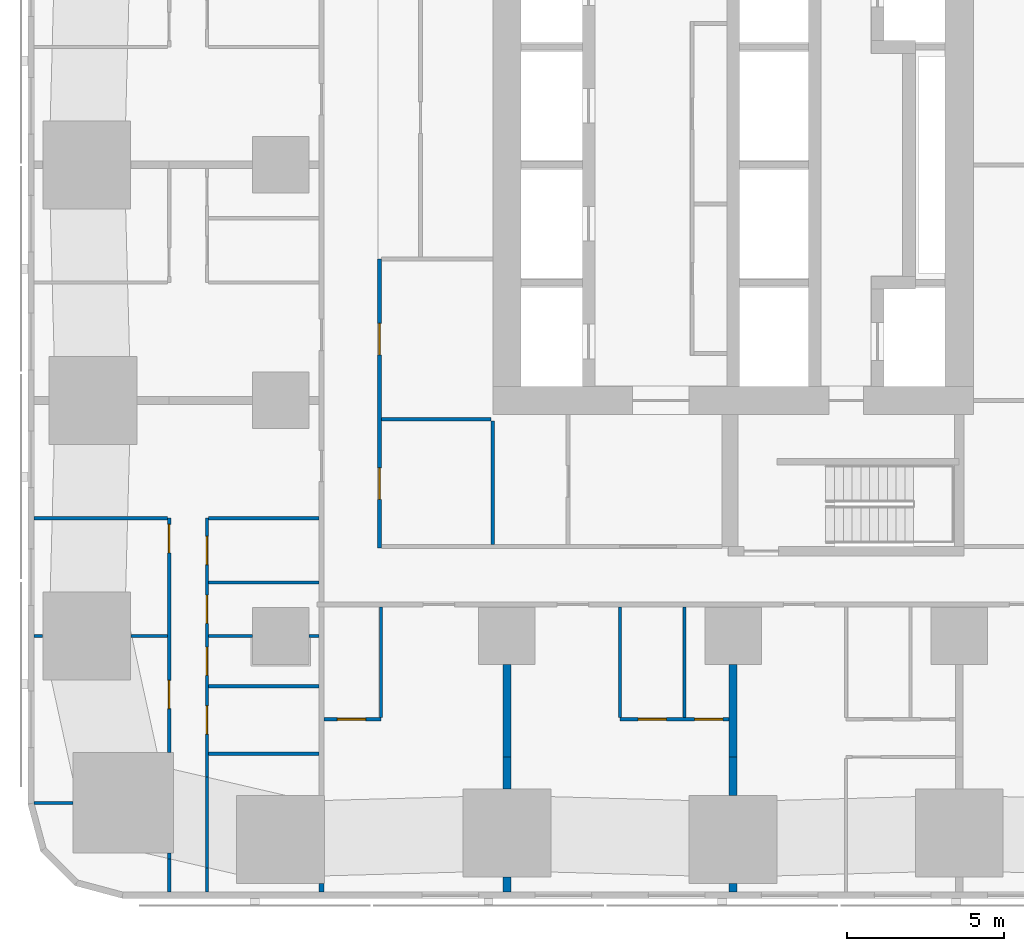
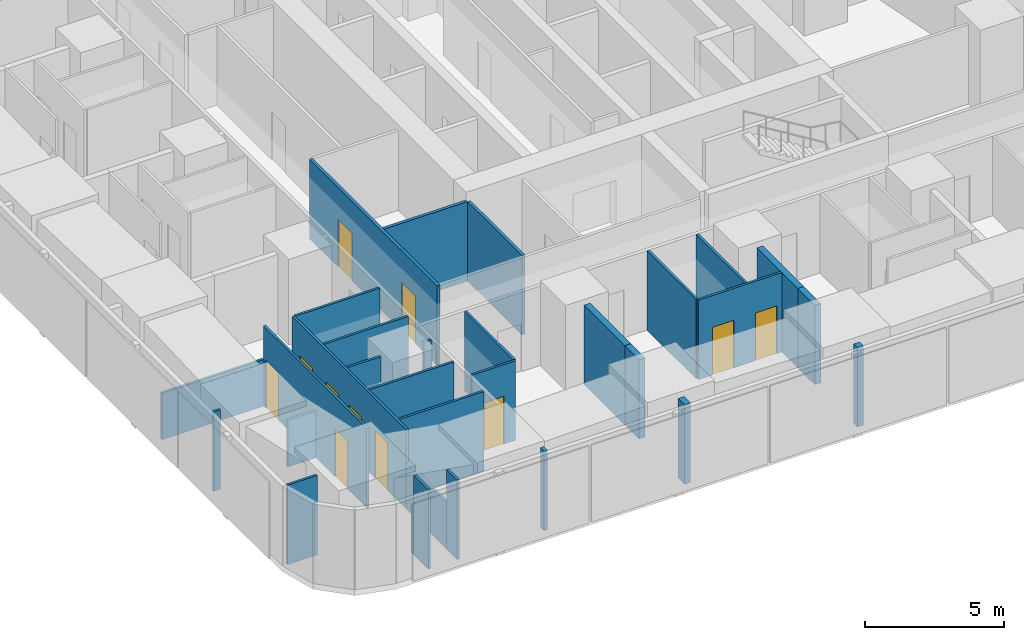
# One storey, part 2 of 15: 31 walls, 11 doors, 11 openings.
"""IFC4 building model written with IfcOpenShell, lengths in metres."""

from ifc_helpers import new_model, si_unit, direction, frame, frame_2d, origin, place, context, subcontext, project, spatial, rectangle, extrude, material, layer, layer_set, type_object, element, fill, save


model = new_model("IFC4")

# Units and contexts
model_context = context("Model", 3, precision=1e-05, world=origin(), true_north=direction((0.0, 1.0)))
body_context = subcontext(model_context, "Body", "Model", "MODEL_VIEW")
ifc_project = project(units=[si_unit("LENGTHUNIT", "METRE"), si_unit("AREAUNIT", "SQUARE_METRE"), si_unit("VOLUMEUNIT", "CUBIC_METRE"), si_unit("PLANEANGLEUNIT", "RADIAN"), si_unit("MASSUNIT", "GRAM", prefix="KILO")], contexts=[model_context])

# Site, building, storey
site_placement = place(None, origin())
site = spatial("IfcSite", under=ifc_project, at=site_placement, CompositionType="ELEMENT")
building_placement = place(site_placement, origin())
building = spatial("IfcBuilding", under=site, at=building_placement, Name="Sheger Commons Tower", CompositionType="ELEMENT")
storey_placement = place(building_placement, frame((0.0, 0.0, 42.5)))
storey = spatial("IfcBuildingStorey", under=building, at=storey_placement, Name="L10", CompositionType="ELEMENT", Elevation=42.5)

# Walls
ifc_material_1 = material(Name="Hollow concrete block masonry, skimmed both sides", Category="masonry")
ifc_layer_1 = layer(ifc_material_1, 0.14990234375)
ifc_layer_set_1 = layer_set([ifc_layer_1], Name="CORRIDOR WALL 150")
wall_type_1 = type_object("IfcWallType", Name="CORRIDOR WALL 150", PredefinedType="SOLIDWALL", material=ifc_layer_set_1)
wall_1_placement = place(storey_placement, frame((8.5, -0.64990234375, 0.0), z_axis=(0.0, 0.0, 1.0), x_axis=(0.0, 1.0, 0.0)))
element("IfcWall", 1, at=wall_1_placement, inside=storey, type_object=wall_type_1, Name="Corridor wall L10", PredefinedType="SOLIDWALL", context=body_context, shape_type="SweptSolid", body=[
    extrude(rectangle(XDim=0.27392578125, YDim=0.14990234375, at=frame_2d((0.136962890625, 0.0))), origin(), (0.0, 0.0, 1.0), 3.5),
])
ifc_material_2 = material(Name="Dense concrete block masonry, plastered both sides (separating wall between flats)", Category="masonry")
ifc_layer_2 = layer(ifc_material_2, 0.25)
ifc_layer_set_2 = layer_set([ifc_layer_2], Name="DEMISING WALL 250")
wall_type_2 = type_object("IfcWallType", Name="DEMISING WALL 250", PredefinedType="SOLIDWALL", material=ifc_layer_set_2)
wall_2_placement = place(storey_placement, frame((14.39990234375, -0.64990234375, 0.0), z_axis=(0.0, 0.0, 1.0), x_axis=(0.0, 1.0, 0.0)))
element("IfcWall", 2, at=wall_2_placement, inside=storey, type_object=wall_type_2, Name="Demising wall L10", PredefinedType="SOLIDWALL", context=body_context, shape_type="SweptSolid", body=[
    extrude(rectangle(XDim=0.473876953125, YDim=0.25, at=frame_2d((0.23681640625, 0.0))), origin(), (0.0, 0.0, 1.0), 3.5),
])
wall_3_placement = place(storey_placement, frame((14.39990234375, 2.6259765625, 0.0), z_axis=(0.0, 0.0, 1.0), x_axis=(0.0, 1.0, 0.0)))
element("IfcWall", 3, at=wall_3_placement, inside=storey, type_object=wall_type_2, Name="Demising wall L10", PredefinedType="SOLIDWALL", context=body_context, shape_type="SweptSolid", body=[
    extrude(rectangle(XDim=1.02392578125, YDim=0.25, at=frame_2d((0.511962890625, 0.0))), origin(), (0.0, 0.0, 1.0), 3.5),
])
wall_4_placement = place(storey_placement, frame((14.39990234375, 3.64990234375, 0.0), z_axis=(0.0, 0.0, 1.0), x_axis=(0.0, 1.0, 0.0)))
element("IfcWall", 4, at=wall_4_placement, inside=storey, type_object=wall_type_2, Name="Demising wall L10", PredefinedType="SOLIDWALL", context=body_context, shape_type="SweptSolid", body=[
    extrude(rectangle(XDim=2.94921875, YDim=0.25, at=frame_2d((1.474609375, 0.0))), origin(), (0.0, 0.0, 1.0), 3.5),
])
wall_5_placement = place(storey_placement, frame((21.60009765625, -0.64990234375, 0.0), z_axis=(0.0, 0.0, 1.0), x_axis=(0.0, 1.0, 0.0)))
element("IfcWall", 5, at=wall_5_placement, inside=storey, type_object=wall_type_2, Name="Demising wall L10", PredefinedType="SOLIDWALL", context=body_context, shape_type="SweptSolid", body=[
    extrude(rectangle(XDim=0.27392578125, YDim=0.25, at=frame_2d((0.136962890625, 0.0))), origin(), (0.0, 0.0, 1.0), 3.5),
])
wall_6_placement = place(storey_placement, frame((21.60009765625, 2.426025390625, 0.0), z_axis=(0.0, 0.0, 1.0), x_axis=(0.0, 1.0, 0.0)))
element("IfcWall", 6, at=wall_6_placement, inside=storey, type_object=wall_type_2, Name="Demising wall L10", PredefinedType="SOLIDWALL", context=body_context, shape_type="SweptSolid", body=[
    extrude(rectangle(XDim=1.223876953125, YDim=0.25, at=frame_2d((0.61181640625, 0.0))), origin(), (0.0, 0.0, 1.0), 3.5),
])
wall_7_placement = place(storey_placement, frame((21.60009765625, 3.64990234375, 0.0), z_axis=(0.0, 0.0, 1.0), x_axis=(0.0, 1.0, 0.0)))
element("IfcWall", 7, at=wall_7_placement, inside=storey, type_object=wall_type_2, Name="Demising wall L10", PredefinedType="SOLIDWALL", context=body_context, shape_type="SweptSolid", body=[
    extrude(rectangle(XDim=2.94921875, YDim=0.25, at=frame_2d((1.474609375, 0.0))), origin(), (0.0, 0.0, 1.0), 3.5),
])
ifc_material_3 = material(Name="Gypsum board on steel studs", Category="steel")
ifc_layer_3 = layer(ifc_material_3, 0.10009765625)
ifc_layer_set_3 = layer_set([ifc_layer_3], Name="PARTITION 100")
wall_type_3 = type_object("IfcWallType", Name="PARTITION 100", PredefinedType="PARTITIONING", material=ifc_layer_set_3)
wall_8_placement = place(storey_placement, frame((3.64990234375, -0.64990234375, 0.0), z_axis=(0.0, 0.0, 1.0), x_axis=(0.0, 1.0, 0.0)))
element("IfcWall", 8, at=wall_8_placement, inside=storey, type_object=wall_type_3, Name="Partition L10", PredefinedType="PARTITIONING", context=body_context, shape_type="SweptSolid", body=[
    extrude(rectangle(XDim=1.0478515625, YDim=0.10009765625, at=frame_2d((0.52392578125, 0.0))), origin(), (0.0, 0.0, 1.0), 3.5),
])
wall_9_placement = place(storey_placement, frame((3.64990234375, 0.39794921875, 0.0), z_axis=(0.0, 0.0, 1.0), x_axis=(0.0, 1.0, 0.0)))
element("IfcWall", 9, at=wall_9_placement, inside=storey, type_object=wall_type_3, Name="Partition L10", PredefinedType="PARTITIONING", context=body_context, shape_type="SweptSolid", body=[
    extrude(rectangle(XDim=0.18701171875, YDim=0.10009765625, at=frame_2d((0.093505859375, 0.0))), origin(), (0.0, 0.0, 1.0), 2.050048828125),
])

# Wall, openings, doors
wall_10_placement = place(storey_placement, frame((3.64990234375, 3.787109375, 0.0), z_axis=(0.0, 0.0, 1.0), x_axis=(0.0, 1.0, 0.0)))
wall_10 = element("IfcWall", 10, at=wall_10_placement, inside=storey, type_object=wall_type_3, Name="Partition L10", PredefinedType="PARTITIONING", context=body_context, shape_type="SweptSolid", body=[
    extrude(rectangle(XDim=7.462890625, YDim=0.10009765625, at=frame_2d((3.7314453125, 0.0))), origin(), (0.0, 0.0, 1.0), 3.5),
])
opening_1_placement = place(wall_10_placement, frame((6.363037109375, 0.0, 0.0)))
opening_1 = element("IfcOpeningElement", 11, at=opening_1_placement, cuts=wall_10, Name="Opening D2", PredefinedType="OPENING", context=body_context, shape_type="SweptSolid", body=[
    extrude(rectangle(XDim=0.89990234375, YDim=2.10009765625, at=frame_2d((0.449951171875, 1.050048828125))), frame((0.0, 0.06005859375, 0.0), z_axis=(0.0, -1.0, 0.0), x_axis=(1.0, 0.0, 0.0)), (0.0, 0.0, 1.0), 0.1201171875),
])
opening_2_placement = place(wall_10_placement, frame((1.39990234375, 0.0, 0.0)))
opening_2 = element("IfcOpeningElement", 12, at=opening_2_placement, cuts=wall_10, Name="Opening D2", PredefinedType="OPENING", context=body_context, shape_type="SweptSolid", body=[
    extrude(rectangle(XDim=0.89990234375, YDim=2.10009765625, at=frame_2d((0.449951171875, 1.050048828125))), frame((0.0, 0.06005859375, 0.0), z_axis=(0.0, -1.0, 0.0), x_axis=(1.0, 0.0, 0.0)), (0.0, 0.0, 1.0), 0.1201171875),
])
ifc_material_4 = material(Name="Timber door set", Category="wood")
door_type_1 = type_object("IfcDoorType", Name="INTERNAL DOOR 900x2100", OperationType="NOTDEFINED", PredefinedType="DOOR", material=ifc_material_4)
door_1_placement = place(opening_1_placement, origin())
door_1 = element("IfcDoor", 13, at=door_1_placement, inside=storey, type_object=door_type_1, Name="Main bedroom door", OperationType="SINGLE_SWING_RIGHT", OverallHeight=2.10009765625, OverallWidth=0.89990234375, PredefinedType="DOOR", context=body_context, shape_type="SweptSolid", body=[
    extrude(rectangle(XDim=0.89990234375, YDim=2.10009765625, at=frame_2d((0.449951171875, 1.050048828125))), frame((0.0, 0.02490234375, 0.0), z_axis=(0.0, -1.0, 0.0), x_axis=(1.0, 0.0, 0.0)), (0.0, 0.0, 1.0), 0.050048828125),
])
fill(opening_1, door_1)
door_2_placement = place(opening_2_placement, origin())
door_2 = element("IfcDoor", 14, at=door_2_placement, inside=storey, type_object=door_type_1, Name="Bedroom 2 door", OperationType="SINGLE_SWING_LEFT", OverallHeight=2.10009765625, OverallWidth=0.89990234375, PredefinedType="DOOR", context=body_context, shape_type="SweptSolid", body=[
    extrude(rectangle(XDim=0.89990234375, YDim=2.10009765625, at=frame_2d((0.449951171875, 1.050048828125))), frame((0.0, 0.02490234375, 0.0), z_axis=(0.0, -1.0, 0.0), x_axis=(1.0, 0.0, 0.0)), (0.0, 0.0, 1.0), 0.050048828125),
])
fill(opening_2, door_2)

# Walls
wall_11_placement = place(storey_placement, frame((4.85009765625, -0.64990234375, 0.0), z_axis=(0.0, 0.0, 1.0), x_axis=(0.0, 1.0, 0.0)))
element("IfcWall", 15, at=wall_11_placement, inside=storey, type_object=wall_type_3, Name="Partition L10", PredefinedType="PARTITIONING", context=body_context, shape_type="SweptSolid", body=[
    extrude(rectangle(XDim=0.77099609375, YDim=0.10009765625, at=frame_2d((0.385498046875, 0.0))), origin(), (0.0, 0.0, 1.0), 3.5),
])
wall_12_placement = place(storey_placement, frame((4.85009765625, 0.12109375, 0.0), z_axis=(0.0, 0.0, 1.0), x_axis=(0.0, 1.0, 0.0)))
element("IfcWall", 16, at=wall_12_placement, inside=storey, type_object=wall_type_3, Name="Partition L10", PredefinedType="PARTITIONING", context=body_context, shape_type="SweptSolid", body=[
    extrude(rectangle(XDim=2.89697265625, YDim=0.10009765625, at=frame_2d((1.448486328125, 0.0))), origin(), (0.0, 0.0, 1.0), 2.050048828125),
])

# Wall, openings, doors
wall_13_placement = place(storey_placement, frame((4.85009765625, 3.01806640625, 0.0), z_axis=(0.0, 0.0, 1.0), x_axis=(0.0, 1.0, 0.0)))
wall_13 = element("IfcWall", 17, at=wall_13_placement, inside=storey, type_object=wall_type_3, Name="Partition L10", PredefinedType="PARTITIONING", context=body_context, shape_type="SweptSolid", body=[
    extrude(rectangle(XDim=8.23193359375, YDim=0.10009765625, at=frame_2d((4.115966796875, 0.0))), origin(), (0.0, 0.0, 1.0), 3.5),
])
opening_3_placement = place(wall_13_placement, frame((6.757080078125, 0.0, 0.0)))
opening_3 = element("IfcOpeningElement", 18, at=opening_3_placement, cuts=wall_13, Name="Opening D2", PredefinedType="OPENING", context=body_context, shape_type="SweptSolid", body=[
    extrude(rectangle(XDim=0.89990234375, YDim=2.10009765625, at=frame_2d((0.449951171875, 1.050048828125))), frame((0.0, 0.06005859375, 0.0), z_axis=(0.0, -1.0, 0.0), x_axis=(1.0, 0.0, 0.0)), (0.0, 0.0, 1.0), 0.1201171875),
])
opening_4_placement = place(wall_13_placement, frame((3.23193359375, 0.0, 0.0)))
opening_4 = element("IfcOpeningElement", 19, at=opening_4_placement, cuts=wall_13, Name="Opening D2", PredefinedType="OPENING", context=body_context, shape_type="SweptSolid", body=[
    extrude(rectangle(XDim=0.89990234375, YDim=2.10009765625, at=frame_2d((0.449951171875, 1.050048828125))), frame((0.0, 0.06005859375, 0.0), z_axis=(0.0, -1.0, 0.0), x_axis=(1.0, 0.0, 0.0)), (0.0, 0.0, 1.0), 0.1201171875),
])
opening_5_placement = place(wall_13_placement, frame((4.882080078125, 0.0, 0.0)))
opening_5 = element("IfcOpeningElement", 20, at=opening_5_placement, cuts=wall_13, Name="Opening D2", PredefinedType="OPENING", context=body_context, shape_type="SweptSolid", body=[
    extrude(rectangle(XDim=0.89990234375, YDim=2.10009765625, at=frame_2d((0.449951171875, 1.050048828125))), frame((0.0, 0.06005859375, 0.0), z_axis=(0.0, -1.0, 0.0), x_axis=(1.0, 0.0, 0.0)), (0.0, 0.0, 1.0), 0.1201171875),
])
opening_6_placement = place(wall_13_placement, frame((1.35693359375, 0.0, 0.0)))
opening_6 = element("IfcOpeningElement", 21, at=opening_6_placement, cuts=wall_13, Name="Opening D2", PredefinedType="OPENING", context=body_context, shape_type="SweptSolid", body=[
    extrude(rectangle(XDim=0.89990234375, YDim=2.10009765625, at=frame_2d((0.449951171875, 1.050048828125))), frame((0.0, 0.06005859375, 0.0), z_axis=(0.0, -1.0, 0.0), x_axis=(1.0, 0.0, 0.0)), (0.0, 0.0, 1.0), 0.1201171875),
])
door_3_placement = place(opening_3_placement, origin())
door_3 = element("IfcDoor", 22, at=door_3_placement, inside=storey, type_object=door_type_1, Name="Bathroom door", OperationType="SINGLE_SWING_LEFT", OverallHeight=2.10009765625, OverallWidth=0.89990234375, PredefinedType="DOOR", context=body_context, shape_type="SweptSolid", body=[
    extrude(rectangle(XDim=0.89990234375, YDim=2.10009765625, at=frame_2d((0.449951171875, 1.050048828125))), frame((0.0, 0.02490234375, 0.0), z_axis=(0.0, -1.0, 0.0), x_axis=(1.0, 0.0, 0.0)), (0.0, 0.0, 1.0), 0.050048828125),
])
fill(opening_3, door_3)
door_4_placement = place(opening_4_placement, origin())
door_4 = element("IfcDoor", 23, at=door_4_placement, inside=storey, type_object=door_type_1, Name="Shower room door", OperationType="SINGLE_SWING_LEFT", OverallHeight=2.10009765625, OverallWidth=0.89990234375, PredefinedType="DOOR", context=body_context, shape_type="SweptSolid", body=[
    extrude(rectangle(XDim=0.89990234375, YDim=2.10009765625, at=frame_2d((0.449951171875, 1.050048828125))), frame((0.0, 0.02490234375, 0.0), z_axis=(0.0, -1.0, 0.0), x_axis=(1.0, 0.0, 0.0)), (0.0, 0.0, 1.0), 0.050048828125),
])
fill(opening_4, door_4)
door_5_placement = place(opening_5_placement, origin())
door_5 = element("IfcDoor", 24, at=door_5_placement, inside=storey, type_object=door_type_1, Name="Store door", OperationType="SINGLE_SWING_LEFT", OverallHeight=2.10009765625, OverallWidth=0.89990234375, PredefinedType="DOOR", context=body_context, shape_type="SweptSolid", body=[
    extrude(rectangle(XDim=0.89990234375, YDim=2.10009765625, at=frame_2d((0.449951171875, 1.050048828125))), frame((0.0, 0.02490234375, 0.0), z_axis=(0.0, -1.0, 0.0), x_axis=(1.0, 0.0, 0.0)), (0.0, 0.0, 1.0), 0.050048828125),
])
fill(opening_5, door_5)
door_6_placement = place(opening_6_placement, origin())
door_6 = element("IfcDoor", 25, at=door_6_placement, inside=storey, type_object=door_type_1, Name="Store door", OperationType="SINGLE_SWING_RIGHT", OverallHeight=2.10009765625, OverallWidth=0.89990234375, PredefinedType="DOOR", context=body_context, shape_type="SweptSolid", body=[
    extrude(rectangle(XDim=0.89990234375, YDim=2.10009765625, at=frame_2d((0.449951171875, 1.050048828125))), frame((0.0, 0.02490234375, 0.0), z_axis=(0.0, -1.0, 0.0), x_axis=(1.0, 0.0, 0.0)), (0.0, 0.0, 1.0), 0.050048828125),
])
fill(opening_6, door_6)

# Walls
wall_14_placement = place(storey_placement, frame((-0.64990234375, 2.18603515625, 0.0), z_axis=(0.0, 0.0, 1.0), x_axis=(1.0, 0.0, 0.0)))
element("IfcWall", 26, at=wall_14_placement, inside=storey, type_object=wall_type_3, Name="Partition L10", PredefinedType="PARTITIONING", context=body_context, shape_type="SweptSolid", body=[
    extrude(rectangle(XDim=1.23486328125, YDim=0.10009765625, at=frame_2d((0.617431640625, 0.0))), origin(), (0.0, 0.0, 1.0), 3.5),
])
wall_15_placement = place(storey_placement, frame((-0.64990234375, 7.5, 0.0), z_axis=(0.0, 0.0, 1.0), x_axis=(1.0, 0.0, 0.0)))
element("IfcWall", 27, at=wall_15_placement, inside=storey, type_object=wall_type_3, Name="Partition L10", PredefinedType="PARTITIONING", context=body_context, shape_type="SweptSolid", body=[
    extrude(rectangle(XDim=0.27392578125, YDim=0.10009765625, at=frame_2d((0.136962890625, 0.0))), origin(), (0.0, 0.0, 1.0), 3.5),
])
wall_16_placement = place(storey_placement, frame((2.426025390625, 7.5, 0.0), z_axis=(0.0, 0.0, 1.0), x_axis=(1.0, 0.0, 0.0)))
element("IfcWall", 28, at=wall_16_placement, inside=storey, type_object=wall_type_3, Name="Partition L10", PredefinedType="PARTITIONING", context=body_context, shape_type="SweptSolid", body=[
    extrude(rectangle(XDim=1.174072265625, YDim=0.10009765625, at=frame_2d((0.5869140625, 0.0))), origin(), (0.0, 0.0, 1.0), 2.050048828125),
])
wall_17_placement = place(storey_placement, frame((-0.64990234375, 11.25, 0.0), z_axis=(0.0, 0.0, 1.0), x_axis=(1.0, 0.0, 0.0)))
element("IfcWall", 29, at=wall_17_placement, inside=storey, type_object=wall_type_3, Name="Partition L10", PredefinedType="PARTITIONING", context=body_context, shape_type="SweptSolid", body=[
    extrude(rectangle(XDim=4.25, YDim=0.10009765625, at=frame_2d((2.125, 0.0))), origin(), (0.0, 0.0, 1.0), 2.050048828125),
])
wall_18_placement = place(storey_placement, frame((4.89990234375, 3.75, 0.0), z_axis=(0.0, 0.0, 1.0), x_axis=(1.0, 0.0, 0.0)))
element("IfcWall", 30, at=wall_18_placement, inside=storey, type_object=wall_type_3, Name="Partition L10", PredefinedType="PARTITIONING", context=body_context, shape_type="SweptSolid", body=[
    extrude(rectangle(XDim=3.525146484375, YDim=0.10009765625, at=frame_2d((1.7626953125, 0.0))), origin(), (0.0, 0.0, 1.0), 3.5),
])
wall_19_placement = place(storey_placement, frame((4.89990234375, 7.5, 0.0), z_axis=(0.0, 0.0, 1.0), x_axis=(1.0, 0.0, 0.0)))
element("IfcWall", 31, at=wall_19_placement, inside=storey, type_object=wall_type_3, Name="Partition L10", PredefinedType="PARTITIONING", context=body_context, shape_type="SweptSolid", body=[
    extrude(rectangle(XDim=1.399169921875, YDim=0.10009765625, at=frame_2d((0.69970703125, 0.0))), origin(), (0.0, 0.0, 1.0), 3.5),
])
wall_20_placement = place(storey_placement, frame((8.10107421875, 7.5, 0.0), z_axis=(0.0, 0.0, 1.0), x_axis=(1.0, 0.0, 0.0)))
element("IfcWall", 32, at=wall_20_placement, inside=storey, type_object=wall_type_3, Name="Partition L10", PredefinedType="PARTITIONING", context=body_context, shape_type="SweptSolid", body=[
    extrude(rectangle(XDim=0.323974609375, YDim=0.10009765625, at=frame_2d((0.162109375, 0.0))), origin(), (0.0, 0.0, 1.0), 3.5),
])
for number, where, z_axis, x_axis, name in (
    (33, (4.89990234375, 11.25, 0.0), (0.0, 0.0, 1.0), (1.0, 0.0, 0.0), "Partition L10"),
    (34, (4.89990234375, 9.199951171875, 0.0), (0.0, 0.0, 1.0), (1.0, 0.0, 0.0), "Partition L10"),
    (35, (4.89990234375, 5.89990234375, 0.0), (0.0, 0.0, 1.0), (1.0, 0.0, 0.0), "Partition L10"),
):
    element("IfcWall", number, at=place(storey_placement, frame(where, z_axis=z_axis, x_axis=x_axis)), inside=storey, type_object=wall_type_3, Name=name, PredefinedType="PARTITIONING", context=body_context, shape_type="SweptSolid", body=[
        extrude(rectangle(XDim=3.525146484375, YDim=0.10009765625, at=frame_2d((1.7626953125, 0.0))), origin(), (0.0, 0.0, 1.0), 3.5),
    ])

# Wall, opening, door
wall_21_placement = place(storey_placement, frame((10.389892578125, 4.85009765625, 0.0), z_axis=(0.0, 0.0, 1.0), x_axis=(-1.0, 0.0, 0.0)))
wall_21 = element("IfcWall", 36, at=wall_21_placement, inside=storey, type_object=wall_type_3, Name="Partition L10", PredefinedType="PARTITIONING", context=body_context, shape_type="SweptSolid", body=[
    extrude(rectangle(XDim=1.81494140625, YDim=0.10009765625, at=frame_2d((0.907470703125, 0.0))), origin(), (0.0, 0.0, 1.0), 3.5),
])
opening_7_placement = place(wall_21_placement, frame((0.489990234375, 0.0, 0.0)))
opening_7 = element("IfcOpeningElement", 37, at=opening_7_placement, cuts=wall_21, Name="Opening D2", PredefinedType="OPENING", context=body_context, shape_type="SweptSolid", body=[
    extrude(rectangle(XDim=0.89990234375, YDim=2.10009765625, at=frame_2d((0.449951171875, 1.050048828125))), frame((0.0, 0.06005859375, 0.0), z_axis=(0.0, -1.0, 0.0), x_axis=(1.0, 0.0, 0.0)), (0.0, 0.0, 1.0), 0.1201171875),
])
door_7_placement = place(opening_7_placement, origin())
door_7 = element("IfcDoor", 38, at=door_7_placement, inside=storey, type_object=door_type_1, Name="Shower room door", OperationType="SINGLE_SWING_LEFT", OverallHeight=2.10009765625, OverallWidth=0.89990234375, PredefinedType="DOOR", context=body_context, shape_type="SweptSolid", body=[
    extrude(rectangle(XDim=0.89990234375, YDim=2.10009765625, at=frame_2d((0.449951171875, 1.050048828125))), frame((0.0, 0.02490234375, 0.0), z_axis=(0.0, -1.0, 0.0), x_axis=(1.0, 0.0, 0.0)), (0.0, 0.0, 1.0), 0.050048828125),
])
fill(opening_7, door_7)

# Wall
wall_22_placement = place(storey_placement, frame((10.389892578125, 4.89990234375, 0.0), z_axis=(0.0, 0.0, 1.0), x_axis=(0.0, 1.0, 0.0)))
element("IfcWall", 39, at=wall_22_placement, inside=storey, type_object=wall_type_3, Name="Partition L10", PredefinedType="PARTITIONING", context=body_context, shape_type="SweptSolid", body=[
    extrude(rectangle(XDim=3.525146484375, YDim=0.10009765625, at=frame_2d((1.7626953125, 0.0))), origin(), (0.0, 0.0, 1.0), 3.5),
])

# Wall, openings, doors
wall_23_placement = place(storey_placement, frame((21.47509765625, 4.85009765625, 0.0), z_axis=(0.0, 0.0, 1.0), x_axis=(-1.0, 0.0, 0.0)))
wall_23 = element("IfcWall", 40, at=wall_23_placement, inside=storey, type_object=wall_type_3, Name="Partition L10", PredefinedType="PARTITIONING", context=body_context, shape_type="SweptSolid", body=[
    extrude(rectangle(XDim=3.47509765625, YDim=0.10009765625, at=frame_2d((1.737548828125, 0.0))), origin(), (0.0, 0.0, 1.0), 3.5),
])
opening_8_placement = place(wall_23_placement, frame((2.0, 0.0, 0.0)))
opening_8 = element("IfcOpeningElement", 41, at=opening_8_placement, cuts=wall_23, Name="Opening D2", PredefinedType="OPENING", context=body_context, shape_type="SweptSolid", body=[
    extrude(rectangle(XDim=0.89990234375, YDim=2.10009765625, at=frame_2d((0.449951171875, 1.050048828125))), frame((0.0, 0.06005859375, 0.0), z_axis=(0.0, -1.0, 0.0), x_axis=(1.0, 0.0, 0.0)), (0.0, 0.0, 1.0), 0.1201171875),
])
opening_9_placement = place(wall_23_placement, frame((0.199951171875, 0.0, 0.0)))
opening_9 = element("IfcOpeningElement", 42, at=opening_9_placement, cuts=wall_23, Name="Opening D2", PredefinedType="OPENING", context=body_context, shape_type="SweptSolid", body=[
    extrude(rectangle(XDim=0.89990234375, YDim=2.10009765625, at=frame_2d((0.449951171875, 1.050048828125))), frame((0.0, 0.06005859375, 0.0), z_axis=(0.0, -1.0, 0.0), x_axis=(1.0, 0.0, 0.0)), (0.0, 0.0, 1.0), 0.1201171875),
])
door_8_placement = place(opening_8_placement, origin())
door_8 = element("IfcDoor", 43, at=door_8_placement, inside=storey, type_object=door_type_1, Name="Bathroom door", OperationType="SINGLE_SWING_LEFT", OverallHeight=2.10009765625, OverallWidth=0.89990234375, PredefinedType="DOOR", context=body_context, shape_type="SweptSolid", body=[
    extrude(rectangle(XDim=0.89990234375, YDim=2.10009765625, at=frame_2d((0.449951171875, 1.050048828125))), frame((0.0, 0.02490234375, 0.0), z_axis=(0.0, -1.0, 0.0), x_axis=(1.0, 0.0, 0.0)), (0.0, 0.0, 1.0), 0.050048828125),
])
fill(opening_8, door_8)
door_9_placement = place(opening_9_placement, origin())
door_9 = element("IfcDoor", 44, at=door_9_placement, inside=storey, type_object=door_type_1, Name="Store door", OperationType="SINGLE_SWING_RIGHT", OverallHeight=2.10009765625, OverallWidth=0.89990234375, PredefinedType="DOOR", context=body_context, shape_type="SweptSolid", body=[
    extrude(rectangle(XDim=0.89990234375, YDim=2.10009765625, at=frame_2d((0.449951171875, 1.050048828125))), frame((0.0, 0.02490234375, 0.0), z_axis=(0.0, -1.0, 0.0), x_axis=(1.0, 0.0, 0.0)), (0.0, 0.0, 1.0), 0.050048828125),
])
fill(opening_9, door_9)

# Walls
for number, where, z_axis, x_axis, name in (
    (45, (18.0, 4.89990234375, 0.0), (0.0, 0.0, 1.0), (0.0, 1.0, 0.0), "Partition L10"),
    (46, (20.050048828125, 4.89990234375, 0.0), (0.0, 0.0, 1.0), (0.0, 1.0, 0.0), "Partition L10"),
):
    element("IfcWall", number, at=place(storey_placement, frame(where, z_axis=z_axis, x_axis=x_axis)), inside=storey, type_object=wall_type_3, Name=name, PredefinedType="PARTITIONING", context=body_context, shape_type="SweptSolid", body=[
        extrude(rectangle(XDim=3.525146484375, YDim=0.10009765625, at=frame_2d((1.7626953125, 0.0))), origin(), (0.0, 0.0, 1.0), 3.5),
    ])

# Wall, openings, doors
ifc_material_5 = material(Name="Gypsum board on steel studs, two layers each side, fire rated", Category="steel")
ifc_layer_4 = layer(ifc_material_5, 0.125)
ifc_layer_set_4 = layer_set([ifc_layer_4], Name="SERVICE WALL 125")
wall_type_4 = type_object("IfcWallType", Name="SERVICE WALL 125", PredefinedType="PARTITIONING", material=ifc_layer_set_4)
wall_24_placement = place(storey_placement, frame((10.35009765625, 10.300048828125, 0.0), z_axis=(0.0, 0.0, 1.0), x_axis=(0.0, 1.0, 0.0)))
wall_24 = element("IfcWall", 47, at=wall_24_placement, inside=storey, type_object=wall_type_4, Name="Service room wall L10", PredefinedType="PARTITIONING", context=body_context, shape_type="SweptSolid", body=[
    extrude(rectangle(XDim=9.199951171875, YDim=0.125, at=frame_2d((4.60009765625, 0.0))), origin(), (0.0, 0.0, 1.0), 3.5),
])
opening_10_placement = place(wall_24_placement, frame((1.550048828125, 0.0, 0.0)))
opening_10 = element("IfcOpeningElement", 48, at=opening_10_placement, cuts=wall_24, Name="Opening D4", PredefinedType="OPENING", context=body_context, shape_type="SweptSolid", body=[
    extrude(rectangle(XDim=1.0, YDim=2.10009765625, at=frame_2d((0.5, 1.050048828125))), frame((0.0, 0.072509765625, 0.0), z_axis=(0.0, -1.0, 0.0), x_axis=(1.0, 0.0, 0.0)), (0.0, 0.0, 1.0), 0.14501953125),
])
opening_11_placement = place(wall_24_placement, frame((6.14990234375, 0.0, 0.0)))
opening_11 = element("IfcOpeningElement", 49, at=opening_11_placement, cuts=wall_24, Name="Opening D4", PredefinedType="OPENING", context=body_context, shape_type="SweptSolid", body=[
    extrude(rectangle(XDim=1.0, YDim=2.10009765625, at=frame_2d((0.5, 1.050048828125))), frame((0.0, 0.072509765625, 0.0), z_axis=(0.0, -1.0, 0.0), x_axis=(1.0, 0.0, 0.0)), (0.0, 0.0, 1.0), 0.14501953125),
])
ifc_material_6 = material(Name="Steel door set, fire rated", Category="steel")
door_type_2 = type_object("IfcDoorType", Name="SERVICE DOOR 1000x2100", OperationType="NOTDEFINED", PredefinedType="DOOR", material=ifc_material_6)
door_10_placement = place(opening_10_placement, origin())
door_10 = element("IfcDoor", 50, at=door_10_placement, inside=storey, type_object=door_type_2, Name="Refuse chute room door", OperationType="SINGLE_SWING_RIGHT", OverallHeight=2.10009765625, OverallWidth=1.0, PredefinedType="DOOR", context=body_context, shape_type="SweptSolid", body=[
    extrude(rectangle(XDim=1.0, YDim=2.10009765625, at=frame_2d((0.5, 1.050048828125))), frame((0.0, 0.02490234375, 0.0), z_axis=(0.0, -1.0, 0.0), x_axis=(1.0, 0.0, 0.0)), (0.0, 0.0, 1.0), 0.050048828125),
])
fill(opening_10, door_10)
door_11_placement = place(opening_11_placement, origin())
door_11 = element("IfcDoor", 51, at=door_11_placement, inside=storey, type_object=door_type_2, Name="Caretaker's store door", OperationType="SINGLE_SWING_LEFT", OverallHeight=2.10009765625, OverallWidth=1.0, PredefinedType="DOOR", context=body_context, shape_type="SweptSolid", body=[
    extrude(rectangle(XDim=1.0, YDim=2.10009765625, at=frame_2d((0.5, 1.050048828125))), frame((0.0, 0.02490234375, 0.0), z_axis=(0.0, -1.0, 0.0), x_axis=(1.0, 0.0, 0.0)), (0.0, 0.0, 1.0), 0.050048828125),
])
fill(opening_11, door_11)

# Walls
wall_25_placement = place(storey_placement, frame((10.4130859375, 14.39990234375, 0.0), z_axis=(0.0, 0.0, 1.0), x_axis=(1.0, 0.0, 0.0)))
element("IfcWall", 52, at=wall_25_placement, inside=storey, type_object=wall_type_4, Name="Service room wall L10", PredefinedType="PARTITIONING", context=body_context, shape_type="SweptSolid", body=[
    extrude(rectangle(XDim=3.474853515625, YDim=0.125, at=frame_2d((1.7373046875, 0.0))), origin(), (0.0, 0.0, 1.0), 3.5),
])
wall_26_placement = place(storey_placement, frame((13.949951171875, 10.4130859375, 0.0), z_axis=(0.0, 0.0, 1.0), x_axis=(0.0, 1.0, 0.0)))
element("IfcWall", 53, at=wall_26_placement, inside=storey, type_object=wall_type_4, Name="Service room wall L10", PredefinedType="PARTITIONING", context=body_context, shape_type="SweptSolid", body=[
    extrude(rectangle(XDim=3.9248046875, YDim=0.125, at=frame_2d((1.96240234375, 0.0))), origin(), (0.0, 0.0, 1.0), 3.5),
])

save(model, "model.ifc")
